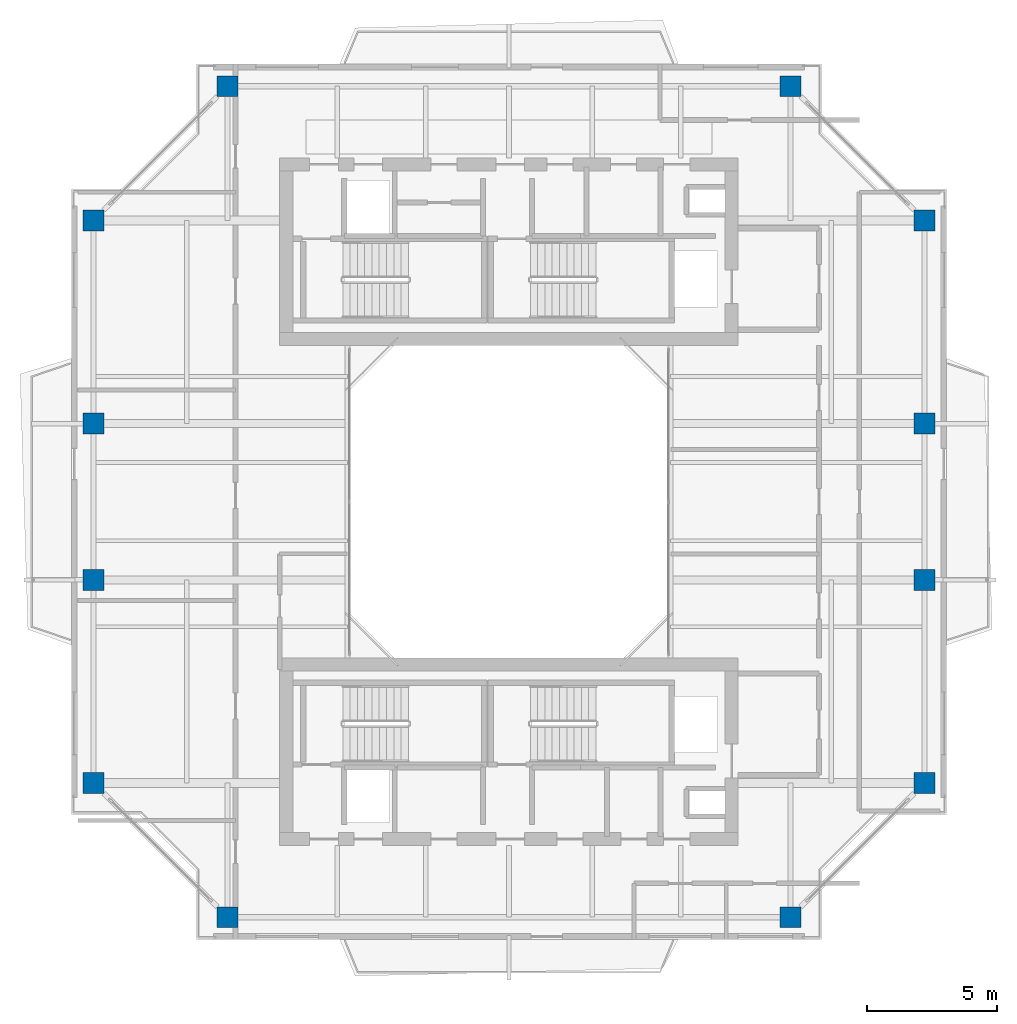
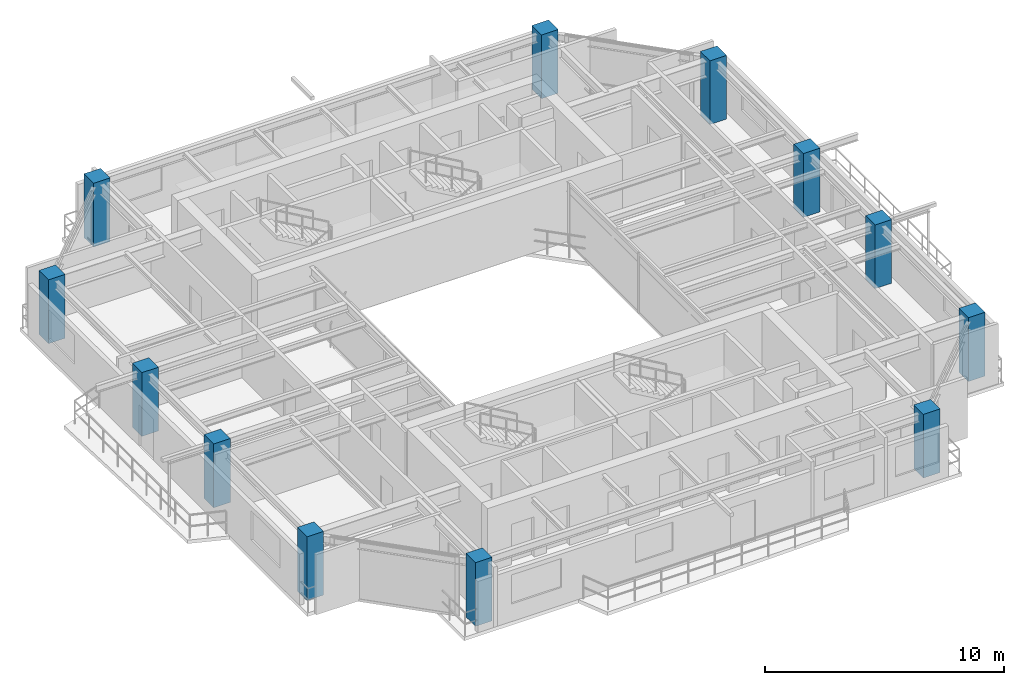
# One storey, part 1 of 15: 12 columns.
"""IFC4 building model written with IfcOpenShell, lengths in metres."""

from ifc_helpers import new_model, si_unit, direction, frame, origin, origin_2d, place, context, subcontext, project, spatial, rectangle, extrude, source, transform, mapped, material, material_profile, profile_set, type_object, element, save


model = new_model("IFC4")

# Units and contexts
model_context = context("Model", 3, precision=1e-05, world=origin(), true_north=direction((0.0, 1.0)))
body_context = subcontext(model_context, "Body", "Model", "MODEL_VIEW")
ifc_project = project(units=[si_unit("LENGTHUNIT", "METRE"), si_unit("AREAUNIT", "SQUARE_METRE"), si_unit("VOLUMEUNIT", "CUBIC_METRE"), si_unit("PLANEANGLEUNIT", "RADIAN"), si_unit("MASSUNIT", "GRAM", prefix="KILO"), si_unit("THERMODYNAMICTEMPERATUREUNIT", "KELVIN"), si_unit("POWERUNIT", "WATT")], contexts=[model_context])

# Site, building, storey
site_placement = place(None, origin())
site = spatial("IfcSite", under=ifc_project, at=site_placement, CompositionType="ELEMENT")
building_placement = place(site_placement, origin())
building = spatial("IfcBuilding", under=site, at=building_placement, Name="Qiaomeng Ring Towers", CompositionType="ELEMENT")
storey_placement = place(building_placement, frame((0.0, 0.0, 219.75)))
storey = spatial("IfcBuildingStorey", under=building, at=storey_placement, Name="L64", CompositionType="ELEMENT", Elevation=219.75)

# Columns
ifc_material = material(Name="Concrete C40", Category="concrete")
ifc_material_profile = material_profile(ifc_material, rectangle(XDim=0.800048828125, YDim=0.800048828125, at=origin_2d()), Name="RC COL 800x800")
ifc_profile_set = profile_set([ifc_material_profile], Name="Concrete C40")
column_type = type_object("IfcColumnType", Name="STR-COL-800-C40", PredefinedType="COLUMN", material=ifc_profile_set)
shared_shape = source(origin(), body_context, "Body", "SweptSolid", [
    extrude(rectangle(XDim=0.800048828125, YDim=0.800048828125, at=origin_2d()), origin(), (0.0, 0.0, 1.0), 3.25),
])
for number, where, z_axis, x_axis, name in (
    (1, (8.199951171875, 7.050048828125, 0.0), (0.0, 0.0, 1.0), (1.0, 0.0, 0.0), "L64 column STR-COL-L64-T1-S1"),
    (2, (29.800048828125, 7.050048828125, 0.0), (0.0, 0.0, 1.0), (1.0, 0.0, 0.0), "L64 column STR-COL-L64-T1-S2"),
    (3, (34.949951171875, 12.199951171875, 0.0), (0.0, 0.0, 1.0), (1.0, 0.0, 0.0), "L64 column STR-COL-L64-T1-E1"),
    (4, (34.949951171875, 20.0, 0.0), (0.0, 0.0, 1.0), (1.0, 0.0, 0.0), "L64 column STR-COL-L64-T1-E2"),
    (5, (34.949951171875, 26.0, 0.0), (0.0, 0.0, 1.0), (1.0, 0.0, 0.0), "L64 column STR-COL-L64-T1-E3"),
    (6, (34.949951171875, 33.800048828125, 0.0), (0.0, 0.0, 1.0), (1.0, 0.0, 0.0), "L64 column STR-COL-L64-T1-E4"),
    (7, (29.800048828125, 38.949951171875, 0.0), (0.0, 0.0, 1.0), (1.0, 0.0, 0.0), "L64 column STR-COL-L64-T1-N2"),
    (8, (8.199951171875, 38.949951171875, 0.0), (0.0, 0.0, 1.0), (1.0, 0.0, 0.0), "L64 column STR-COL-L64-T1-N1"),
    (9, (3.050048828125, 33.800048828125, 0.0), (0.0, 0.0, 1.0), (1.0, 0.0, 0.0), "L64 column STR-COL-L64-T1-W4"),
    (10, (3.050048828125, 26.0, 0.0), (0.0, 0.0, 1.0), (1.0, 0.0, 0.0), "L64 column STR-COL-L64-T1-W3"),
    (11, (3.050048828125, 20.0, 0.0), (0.0, 0.0, 1.0), (1.0, 0.0, 0.0), "L64 column STR-COL-L64-T1-W2"),
    (12, (3.050048828125, 12.199951171875, 0.0), (0.0, 0.0, 1.0), (1.0, 0.0, 0.0), "L64 column STR-COL-L64-T1-W1"),
):
    element("IfcColumn", number, at=place(storey_placement, frame(where, z_axis=z_axis, x_axis=x_axis)), inside=storey, type_object=column_type, Name=name, PredefinedType="COLUMN", context=body_context, shape_type="MappedRepresentation", body=[
        mapped(shared_shape, transform((0.0, 0.0, 0.0), x_axis=(1.0, 0.0, 0.0), y_axis=(0.0, 1.0, 0.0), z_axis=(0.0, 0.0, 1.0), scale=1.0)),
    ])

save(model, "model.ifc")
